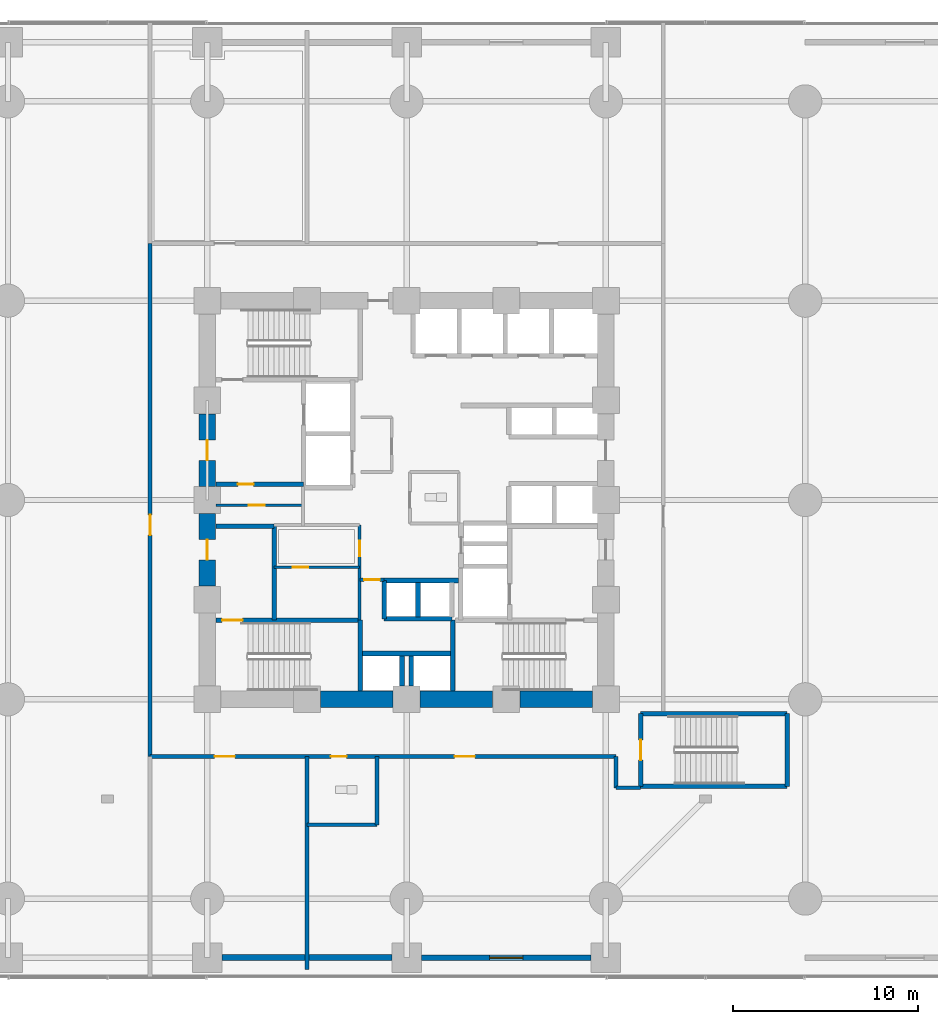
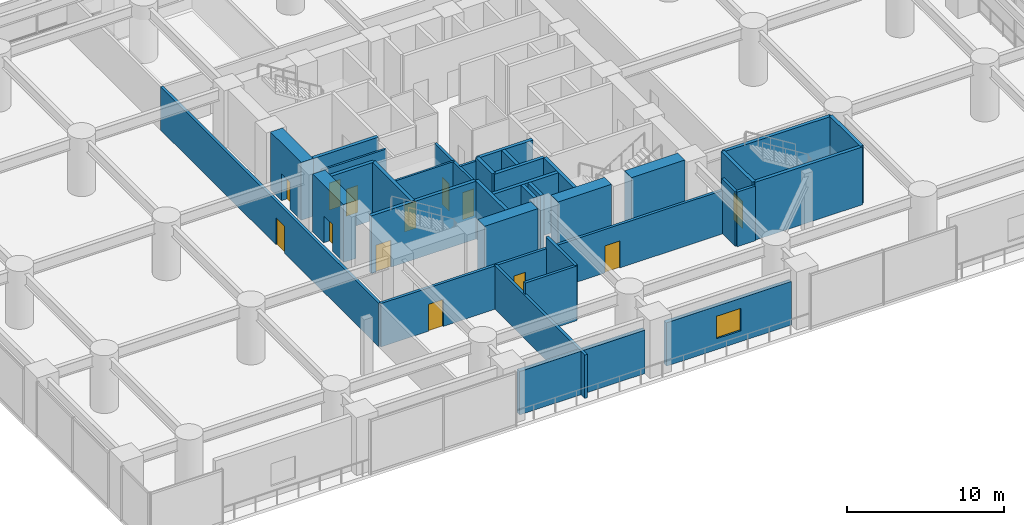
# One storey, part 27 of 36: 35 walls, 13 doors, 1 window, 14 openings.
"""IFC4 building model written with IfcOpenShell, lengths in metres."""

import ifcopenshell
import ifcopenshell.guid

model = None  # the IFC model being written
_history = None  # IfcOwnerHistory: only IFC2X3 demands one
_inside = {}  # id of a spatial element -> (the spatial element, [elements in it])
_under = {}  # id of a project, library or spatial element -> (it, [spatial elements below it])
_declared = {}  # id of a project -> (the project, [libraries it declares])
_typed = {}  # id of a type object -> (the type object, [elements of that type])
_made_of = {}  # id of a material, layer set ... -> (it, [elements and type objects made of it])


def new_model(schema):
    """Start an empty IFC model of exactly this schema.

    Asked for "IFC4X3", IfcOpenShell would pick the latest addendum, in which some entities
    have other attributes; the version numbers below select the first issue.
    IFC2X3 requires an IfcOwnerHistory on every rooted entity: one is made here for all.
    """
    global model, _history
    if schema == "IFC4X3":
        model = ifcopenshell.file(schema_version=(4, 3, 0, 0))
    else:
        model = ifcopenshell.file(schema=schema)
    _inside.clear()
    _under.clear()
    _declared.clear()
    _typed.clear()
    _made_of.clear()
    _history = None
    if model.schema == "IFC2X3":
        org = make("IfcOrganization", Name="unknown")
        user = make(
            "IfcPersonAndOrganization",
            ThePerson=make("IfcPerson", FamilyName="unknown"),
            TheOrganization=org,
        )
        app = make(
            "IfcApplication",
            ApplicationDeveloper=org,
            Version="unknown",
            ApplicationFullName="unknown",
            ApplicationIdentifier="unknown",
        )
        _history = make(
            "IfcOwnerHistory",
            OwningUser=user,
            OwningApplication=app,
            ChangeAction="ADDED",
            CreationDate=0,
        )
    return model


def make(cls, **values):
    """One entity of the class cls with the attributes given. An attribute that is None is left unset."""
    return model.create_entity(
        cls, **{name: value for name, value in values.items() if value is not None}
    )


def rooted(cls, **values):
    """An entity with a GlobalId (a new one), such as an element, a storey or a relation."""
    return make(cls, GlobalId=ifcopenshell.guid.new(), OwnerHistory=_history, **values)


def si_unit(unit_type, name, prefix=None):
    """IfcSIUnit, for example si_unit("LENGTHUNIT", "METRE", prefix="MILLI")."""
    return make("IfcSIUnit", UnitType=unit_type, Prefix=prefix, Name=name)


def assignment(units):
    """IfcUnitAssignment: the units of a project."""
    return None if units is None else make("IfcUnitAssignment", Units=units)


def point(xyz):
    """IfcCartesianPoint."""
    return None if xyz is None else make("IfcCartesianPoint", Coordinates=xyz)


def direction(xyz):
    """IfcDirection."""
    return None if xyz is None else make("IfcDirection", DirectionRatios=xyz)


def frame(location, z_axis=None, x_axis=None):
    """IfcAxis2Placement3D, a coordinate frame: its origin and axes. An axis left out is left unset."""
    return make(
        "IfcAxis2Placement3D",
        Location=point(location),
        Axis=direction(z_axis),
        RefDirection=direction(x_axis),
    )


def frame_2d(location, x_axis=None):
    """IfcAxis2Placement2D, a coordinate frame in the plane: its origin and x axis."""
    return make(
        "IfcAxis2Placement2D", Location=point(location), RefDirection=direction(x_axis)
    )


def origin():
    """The frame at (0, 0, 0) with its axes left unset."""
    return frame((0.0, 0.0, 0.0))


def place(relative_to, where):
    """IfcLocalPlacement: puts the frame where relative to a parent placement (None: the world)."""
    return make(
        "IfcLocalPlacement", PlacementRelTo=relative_to, RelativePlacement=where
    )


def context(
    kind, dimensions, precision=None, world=None, true_north=None, identifier=None
):
    """IfcGeometricRepresentationContext, for example the 3D "Model" context."""
    return make(
        "IfcGeometricRepresentationContext",
        ContextIdentifier=identifier,
        ContextType=kind,
        CoordinateSpaceDimension=dimensions,
        Precision=precision,
        WorldCoordinateSystem=world,
        TrueNorth=true_north,
    )


def subcontext(parent, identifier, kind, view, scale=None):
    """IfcGeometricRepresentationSubContext, for example "Body" below "Model"."""
    return make(
        "IfcGeometricRepresentationSubContext",
        ContextIdentifier=identifier,
        ContextType=kind,
        ParentContext=parent,
        TargetScale=scale,
        TargetView=view,
    )


def project(units=None, contexts=None):
    """IfcProject with its units and contexts."""
    return rooted(
        "IfcProject",
        Name="project",
        RepresentationContexts=contexts,
        UnitsInContext=assignment(units),
    )


def spatial(cls, under=None, at=None, **own):
    """A site, building, storey or space (cls), placed at a placement, below another one or the project."""
    s = rooted(cls, ObjectPlacement=at, **own)
    if under is not None:
        _under.setdefault(under.id(), (under, []))[1].append(s)
    return s


def profile(cls, at=None, kind="AREA", **sizes):
    """A parametric profile (cls). Its sizes go by their IFC names, for example OverallWidth=200.0."""
    return make(cls, ProfileType=kind, Position=at, **sizes)


def rectangle(**sizes):
    """IfcRectangleProfileDef."""
    return profile("IfcRectangleProfileDef", **sizes)


def extrude(swept, where, along, depth):
    """IfcExtrudedAreaSolid: the profile swept, set in the frame where, extruded along a direction by depth."""
    return make(
        "IfcExtrudedAreaSolid",
        SweptArea=swept,
        Position=where,
        ExtrudedDirection=direction(along),
        Depth=depth,
    )


def shape(context_of_items, identifier, shape_type, items):
    """IfcShapeRepresentation: the items that make up one representation, for example the "Body"."""
    return make(
        "IfcShapeRepresentation",
        ContextOfItems=context_of_items,
        RepresentationIdentifier=identifier,
        RepresentationType=shape_type,
        Items=items,
    )


def material(Name=None, Category=None):
    """IfcMaterial."""
    return make("IfcMaterial", Name=Name, Category=Category)


def layer(
    of_material, thickness, ventilated=None, Name=None, Category=None, Priority=None
):
    """IfcMaterialLayer: one layer of a wall or slab, of a material (None: an air gap)."""
    return make(
        "IfcMaterialLayer",
        Material=of_material,
        LayerThickness=thickness,
        IsVentilated=ventilated,
        Name=Name,
        Category=Category,
        Priority=Priority,
    )


def layer_set(layers, Name=None):
    """IfcMaterialLayerSet."""
    return make("IfcMaterialLayerSet", MaterialLayers=layers, LayerSetName=Name)


def made_of(thing, what):
    """Note that an element or type object is made of a material, layer set ...; save() writes the relation."""
    if what is not None:
        _made_of.setdefault(what.id(), (what, []))[1].append(thing)
    return thing


def type_object(cls, material=None, **own):
    """A type object (cls), such as IfcWallType, which elements share."""
    return made_of(rooted(cls, **own), material)


def element(
    cls,
    number,
    at=None,
    inside=None,
    cuts=None,
    type_object=None,
    material=None,
    context=None,
    identifier="Body",
    shape_type=None,
    held_by="IfcProductDefinitionShape",
    body=None,
    shapes=None,
    **own,
):
    """One element of the class cls, such as IfcWall. Its Tag is "e" and its number.

    at: its placement. inside: the storey or other place that contains it. cuts: it is an
    opening in that element (IfcRelVoidsElement). A single representation is given by context,
    identifier, shape_type and body (its items); several are given by shapes. held_by: the class
    of the entity that holds the representations. save() writes the other relations.
    """
    e = rooted(cls, Tag="e%d" % number, ObjectPlacement=at, **own)
    if body is not None:
        shapes = [shape(context, identifier, shape_type, body)]
    if shapes is not None:
        e.Representation = make(held_by, Representations=shapes)
    if inside is not None:
        _inside.setdefault(inside.id(), (inside, []))[1].append(e)
    if cuts is not None:
        rooted(
            "IfcRelVoidsElement", RelatingBuildingElement=cuts, RelatedOpeningElement=e
        )
    if type_object is not None:
        _typed.setdefault(type_object.id(), (type_object, []))[1].append(e)
    return made_of(e, material)


def fill(opening, filler):
    """IfcRelFillsElement: the door or window that sits in an opening."""
    return rooted(
        "IfcRelFillsElement",
        RelatingOpeningElement=opening,
        RelatedBuildingElement=filler,
    )


def aggregate(whole, parts):
    """IfcRelAggregates: a whole, such as a stair, and the parts it consists of."""
    return rooted("IfcRelAggregates", RelatingObject=whole, RelatedObjects=parts)


def save(model, path):
    """Write the relations noted so far, then the file.

    IfcRelAggregates (storeys below a building ...), IfcRelContainedInSpatialStructure (elements
    in a storey), IfcRelDefinesByType, IfcRelAssociatesMaterial and IfcRelDeclares: one each for
    every whole, place, type object, material and project.
    """
    for whole, parts in _under.values():
        aggregate(whole, parts)
    for where, things in _inside.values():
        rooted(
            "IfcRelContainedInSpatialStructure",
            RelatedElements=things,
            RelatingStructure=where,
        )
    for kind, things in _typed.values():
        rooted("IfcRelDefinesByType", RelatedObjects=things, RelatingType=kind)
    for what, things in _made_of.values():
        rooted("IfcRelAssociatesMaterial", RelatedObjects=things, RelatingMaterial=what)
    for by, libraries in _declared.values():
        rooted("IfcRelDeclares", RelatingContext=by, RelatedDefinitions=libraries)
    model.write(path)


model = new_model("IFC4")

# Units and contexts
model_context = context("Model", 3, precision=1e-05, world=origin(), true_north=direction((0.0, 1.0)))
body_context = subcontext(model_context, "Body", "Model", "MODEL_VIEW")
ifc_project = project(units=[si_unit("LENGTHUNIT", "METRE"), si_unit("AREAUNIT", "SQUARE_METRE"), si_unit("VOLUMEUNIT", "CUBIC_METRE"), si_unit("PLANEANGLEUNIT", "RADIAN"), si_unit("MASSUNIT", "GRAM", prefix="KILO")], contexts=[model_context])

# Site, building, storey
site_placement = place(None, origin())
site = spatial("IfcSite", under=ifc_project, at=site_placement, CompositionType="ELEMENT")
building_placement = place(site_placement, origin())
building = spatial("IfcBuilding", under=site, at=building_placement, Name="Surkhivell Harbour Commons", CompositionType="ELEMENT")
storey_placement = place(building_placement, frame((0.0, 0.0, 9.0)))
storey = spatial("IfcBuildingStorey", under=building, at=storey_placement, Name="L02", CompositionType="ELEMENT", Elevation=9.0)

# Wall
ifc_material_1 = material(Name="Concrete C80/95", Category="concrete")
ifc_layer_1 = layer(ifc_material_1, 0.89990234375)
ifc_layer_set_1 = layer_set([ifc_layer_1], Name="Concrete C80/95")
wall_type_1 = type_object("IfcWallType", Name="WAL-CORE-900", PredefinedType="SHEAR", material=ifc_layer_set_1)
wall_1_placement = place(storey_placement, frame((-4.6650390625, -10.800048828125, 0.0), z_axis=(0.0, 0.0, 1.0), x_axis=(1.0, 0.0, 0.0)))
element("IfcWall", 1, at=wall_1_placement, inside=storey, type_object=wall_type_1, Name="L02 Core Shear Wall South 2", PredefinedType="SHEAR", context=body_context, shape_type="SweptSolid", body=[
    extrude(rectangle(XDim=3.929931640625, YDim=0.89990234375, at=frame_2d((1.96484375, 0.0))), origin(), (0.0, 0.0, 1.0), 4.5),
])

# Wall, opening, door
wall_2_placement = place(storey_placement, frame((-10.800048828125, -4.6650390625, 0.0), z_axis=(0.0, 0.0, 1.0), x_axis=(0.0, 1.0, 0.0)))
wall_2 = element("IfcWall", 2, at=wall_2_placement, inside=storey, type_object=wall_type_1, Name="L02 Core Shear Wall West 2", PredefinedType="SHEAR", context=body_context, shape_type="SweptSolid", body=[
    extrude(rectangle(XDim=3.929931640625, YDim=0.89990234375, at=frame_2d((1.96484375, 0.0))), origin(), (0.0, 0.0, 1.0), 4.5),
])
opening_1_placement = place(wall_2_placement, frame((1.4150390625, 0.0, 0.0)))
opening_1 = element("IfcOpeningElement", 3, at=opening_1_placement, cuts=wall_2, Name="Opening ID-2", PredefinedType="OPENING", context=body_context, shape_type="SweptSolid", body=[
    extrude(rectangle(XDim=1.10009765625, YDim=2.10009765625, at=frame_2d((0.550048828125, 1.050048828125))), frame((0.0, 0.4599609375, 0.0), z_axis=(0.0, -1.0, 0.0), x_axis=(1.0, 0.0, 0.0)), (0.0, 0.0, 1.0), 0.919921875),
])
ifc_material_2 = material(Name="Hardwood-veneered fire-rated door leaf", Category="wood")
door_type_1 = type_object("IfcDoorType", Name="DOR-FD60-1100", OperationType="NOTDEFINED", PredefinedType="DOOR", material=ifc_material_2)
door_1_placement = place(opening_1_placement, origin())
door_1 = element("IfcDoor", 4, at=door_1_placement, inside=storey, type_object=door_type_1, Name="L02 Stair 3 Lobby Corridor Door", OperationType="SINGLE_SWING_LEFT", OverallHeight=2.10009765625, OverallWidth=1.10009765625, PredefinedType="DOOR", context=body_context, shape_type="SweptSolid", body=[
    extrude(rectangle(XDim=1.10009765625, YDim=2.10009765625, at=frame_2d((0.550048828125, 1.050048828125))), frame((0.0, 0.02490234375, 0.0), z_axis=(0.0, -1.0, 0.0), x_axis=(1.0, 0.0, 0.0)), (0.0, 0.0, 1.0), 0.050048828125),
])
fill(opening_1, door_1)

# Wall
wall_3_placement = place(storey_placement, frame((0.735107421875, -10.800048828125, 0.0), z_axis=(0.0, 0.0, 1.0), x_axis=(1.0, 0.0, 0.0)))
element("IfcWall", 5, at=wall_3_placement, inside=storey, type_object=wall_type_1, Name="L02 Core Shear Wall South 3", PredefinedType="SHEAR", context=body_context, shape_type="SweptSolid", body=[
    extrude(rectangle(XDim=3.929931640625, YDim=0.89990234375, at=frame_2d((1.96484375, 0.0))), origin(), (0.0, 0.0, 1.0), 4.5),
])

# Wall, opening, door
wall_4_placement = place(storey_placement, frame((-10.800048828125, 0.735107421875, 0.0), z_axis=(0.0, 0.0, 1.0), x_axis=(0.0, 1.0, 0.0)))
wall_4 = element("IfcWall", 6, at=wall_4_placement, inside=storey, type_object=wall_type_1, Name="L02 Core Shear Wall West 3", PredefinedType="SHEAR", context=body_context, shape_type="SweptSolid", body=[
    extrude(rectangle(XDim=3.929931640625, YDim=0.89990234375, at=frame_2d((1.96484375, 0.0))), origin(), (0.0, 0.0, 1.0), 4.5),
])
opening_2_placement = place(wall_4_placement, frame((1.4150390625, 0.0, 0.0)))
opening_2 = element("IfcOpeningElement", 7, at=opening_2_placement, cuts=wall_4, Name="Opening ID-1", PredefinedType="OPENING", context=body_context, shape_type="SweptSolid", body=[
    extrude(rectangle(XDim=1.10009765625, YDim=2.10009765625, at=frame_2d((0.550048828125, 1.050048828125))), frame((0.0, 0.4599609375, 0.0), z_axis=(0.0, -1.0, 0.0), x_axis=(1.0, 0.0, 0.0)), (0.0, 0.0, 1.0), 0.919921875),
])
door_type_2 = type_object("IfcDoorType", Name="DOR-FD120-1100", OperationType="NOTDEFINED", PredefinedType="DOOR", material=ifc_material_2)
door_2_placement = place(opening_2_placement, origin())
door_2 = element("IfcDoor", 8, at=door_2_placement, inside=storey, type_object=door_type_2, Name="L02 Firefighting Lobby 1 Corridor Door", OperationType="SINGLE_SWING_LEFT", OverallHeight=2.10009765625, OverallWidth=1.10009765625, PredefinedType="DOOR", context=body_context, shape_type="SweptSolid", body=[
    extrude(rectangle(XDim=1.10009765625, YDim=2.10009765625, at=frame_2d((0.550048828125, 1.050048828125))), frame((0.0, 0.02490234375, 0.0), z_axis=(0.0, -1.0, 0.0), x_axis=(1.0, 0.0, 0.0)), (0.0, 0.0, 1.0), 0.050048828125),
])
fill(opening_2, door_2)

# Wall
wall_5_placement = place(storey_placement, frame((6.135009765625, -10.800048828125, 0.0), z_axis=(0.0, 0.0, 1.0), x_axis=(1.0, 0.0, 0.0)))
element("IfcWall", 9, at=wall_5_placement, inside=storey, type_object=wall_type_1, Name="L02 Core Shear Wall South 4", PredefinedType="SHEAR", context=body_context, shape_type="SweptSolid", body=[
    extrude(rectangle(XDim=3.929931640625, YDim=0.89990234375, at=frame_2d((1.96484375, 0.0))), origin(), (0.0, 0.0, 1.0), 4.5),
])

# Wall, opening, window
ifc_material_3 = material(Name="Flemish-bond kiln brick and precast concrete C45/55", Category="masonry")
ifc_layer_2 = layer(ifc_material_3, 0.300048828125)
ifc_layer_set_2 = layer_set([ifc_layer_2], Name="Flemish-bond kiln brick and precast concrete C45/55")
wall_type_2 = type_object("IfcWallType", Name="WAL-EXT-BRK300", PredefinedType="STANDARD", material=ifc_layer_set_2)
wall_6_placement = place(storey_placement, frame((10.001953125, -24.800048828125, 0.0), z_axis=(0.0, 0.0, 1.0), x_axis=(-1.0, 0.0, 0.0)))
wall_6 = element("IfcWall", 10, at=wall_6_placement, inside=storey, type_object=wall_type_2, Name="L02 Podium Brick Facade Wall S5", PredefinedType="STANDARD", context=body_context, shape_type="SweptSolid", body=[
    extrude(rectangle(XDim=9.203857421875, YDim=0.300048828125, at=frame_2d((4.60205078125, 0.0))), origin(), (0.0, 0.0, 1.0), 3.37890625),
])
opening_3_placement = place(wall_6_placement, frame((3.701904296875, 0.0, 0.85009765625)))
opening_3 = element("IfcOpeningElement", 11, at=opening_3_placement, cuts=wall_6, Name="Opening WN-03", PredefinedType="OPENING", context=body_context, shape_type="SweptSolid", body=[
    extrude(rectangle(XDim=1.800048828125, YDim=1.75, at=frame_2d((0.89990234375, 0.875))), frame((0.0, 0.159912109375, 0.0), z_axis=(0.0, -1.0, 0.0), x_axis=(1.0, 0.0, 0.0)), (0.0, 0.0, 1.0), 0.320068359375),
])
ifc_material_4 = material(Name="Thermal-break aluminium frame and double low-E glazing", Category="aluminium")
window_type = type_object("IfcWindowType", Name="WIN-POD-1800x1750", PartitioningType="DOUBLE_PANEL_VERTICAL", PredefinedType="WINDOW", material=ifc_material_4)
window_placement = place(opening_3_placement, origin())
window = element("IfcWindow", 12, at=window_placement, inside=storey, type_object=window_type, Name="L02 Podium Punched Window S5", OverallHeight=1.75, OverallWidth=1.800048828125, PartitioningType="SINGLE_PANEL", PredefinedType="WINDOW", context=body_context, shape_type="SweptSolid", body=[
    extrude(rectangle(XDim=1.800048828125, YDim=1.75, at=frame_2d((0.89990234375, 0.875))), frame((0.0, 0.030029296875, 0.0), z_axis=(0.0, -1.0, 0.0), x_axis=(1.0, 0.0, 0.0)), (0.0, 0.0, 1.0), 0.06005859375),
])
fill(opening_3, window)

# Wall
ifc_material_5 = material(Name="Kiln-fired surkhi brick and precast concrete C45/55", Category="masonry")
ifc_layer_3 = layer(ifc_material_5, 0.320068359375)
ifc_layer_set_3 = layer_set([ifc_layer_3], Name="Kiln-fired surkhi brick and precast concrete C45/55")
wall_type_3 = type_object("IfcWallType", Name="WAL-EXT-BRK320", PredefinedType="STANDARD", material=ifc_layer_set_3)
wall_7_placement = place(storey_placement, frame((-0.798095703125, -24.800048828125, 0.0), z_axis=(0.0, 0.0, 1.0), x_axis=(-1.0, 0.0, 0.0)))
element("IfcWall", 13, at=wall_7_placement, inside=storey, type_object=wall_type_3, Name="L02 Podium Brick Facade Wall S4", PredefinedType="STANDARD", context=body_context, shape_type="SweptSolid", body=[
    extrude(rectangle(XDim=9.203857421875, YDim=0.320068359375, at=frame_2d((4.60205078125, 0.0))), origin(), (0.0, 0.0, 1.0), 3.37890625),
])

# Wall, opening, door
ifc_material_6 = material(Name="Twin-stud acoustic fireboard partition", Category="other")
ifc_layer_4 = layer(ifc_material_6, 0.14990234375)
ifc_layer_set_4 = layer_set([ifc_layer_4], Name="Twin-stud acoustic fireboard partition")
wall_type_4 = type_object("IfcWallType", Name="WAL-INT-150", PredefinedType="PARTITIONING", material=ifc_layer_set_4)
wall_8_placement = place(storey_placement, frame((-7.179931640625, -3.64990234375, 0.0), z_axis=(0.0, 0.0, 1.0), x_axis=(1.0, 0.0, 0.0)))
wall_8 = element("IfcWall", 14, at=wall_8_placement, inside=storey, type_object=wall_type_4, Name="L02 Core Cut C1 Partition", PredefinedType="PARTITIONING", context=body_context, shape_type="SweptSolid", body=[
    extrude(rectangle(XDim=4.6298828125, YDim=0.14990234375, at=frame_2d((2.31494140625, 0.0))), origin(), (0.0, 0.0, 1.0), 4.25),
])
opening_4_placement = place(wall_8_placement, frame((1.0, 0.0, 0.0)))
opening_4 = element("IfcOpeningElement", 15, at=opening_4_placement, cuts=wall_8, Name="Opening ID-6", PredefinedType="OPENING", context=body_context, shape_type="SweptSolid", body=[
    extrude(rectangle(XDim=0.85009765625, YDim=2.10009765625, at=frame_2d((0.425048828125, 1.050048828125))), frame((0.0, 0.0849609375, 0.0), z_axis=(0.0, -1.0, 0.0), x_axis=(1.0, 0.0, 0.0)), (0.0, 0.0, 1.0), 0.169921875),
])
door_type_3 = type_object("IfcDoorType", Name="DOR-FD30-850", OperationType="NOTDEFINED", PredefinedType="DOOR", material=ifc_material_2)
door_3_placement = place(opening_4_placement, origin())
door_3 = element("IfcDoor", 16, at=door_3_placement, inside=storey, type_object=door_type_3, Name="L02 Cleaner Room Door", OperationType="SINGLE_SWING_LEFT", OverallHeight=2.10009765625, OverallWidth=0.85009765625, PredefinedType="DOOR", context=body_context, shape_type="SweptSolid", body=[
    extrude(rectangle(XDim=0.85009765625, YDim=2.10009765625, at=frame_2d((0.425048828125, 1.050048828125))), frame((0.0, 0.02490234375, 0.0), z_axis=(0.0, -1.0, 0.0), x_axis=(1.0, 0.0, 0.0)), (0.0, 0.0, 1.0), 0.050048828125),
])
fill(opening_4, door_3)

wall_9_placement = place(storey_placement, frame((-10.340087890625, -0.2900390625, 0.0), z_axis=(0.0, 0.0, 1.0), x_axis=(1.0, 0.0, 0.0)))
wall_9 = element("IfcWall", 17, at=wall_9_placement, inside=storey, type_object=wall_type_4, Name="L02 West Core Horizontal Cut", PredefinedType="PARTITIONING", context=body_context, shape_type="SweptSolid", body=[
    extrude(rectangle(XDim=4.719970703125, YDim=0.14990234375, at=frame_2d((2.35986328125, 0.0))), origin(), (0.0, 0.0, 1.0), 4.25),
])
opening_5_placement = place(wall_9_placement, frame((1.800048828125, 0.0, 0.0)))
opening_5 = element("IfcOpeningElement", 18, at=opening_5_placement, cuts=wall_9, Name="Opening ID-6", PredefinedType="OPENING", context=body_context, shape_type="SweptSolid", body=[
    extrude(rectangle(XDim=0.85009765625, YDim=2.10009765625, at=frame_2d((0.425048828125, 1.050048828125))), frame((0.0, 0.0849609375, 0.0), z_axis=(0.0, -1.0, 0.0), x_axis=(1.0, 0.0, 0.0)), (0.0, 0.0, 1.0), 0.169921875),
])
door_4_placement = place(opening_5_placement, origin())
door_4 = element("IfcDoor", 19, at=door_4_placement, inside=storey, type_object=door_type_3, Name="L02 West Music Pod Door", OperationType="SINGLE_SWING_RIGHT", OverallHeight=2.10009765625, OverallWidth=0.85009765625, PredefinedType="DOOR", context=body_context, shape_type="SweptSolid", body=[
    extrude(rectangle(XDim=0.85009765625, YDim=2.10009765625, at=frame_2d((0.425048828125, 1.050048828125))), frame((0.0, 0.02490234375, 0.0), z_axis=(0.0, -1.0, 0.0), x_axis=(1.0, 0.0, 0.0)), (0.0, 0.0, 1.0), 0.050048828125),
])
fill(opening_5, door_4)

ifc_material_7 = material(Name="High-density acoustic blockwork fire partition", Category="masonry")
ifc_layer_5 = layer(ifc_material_7, 0.175048828125)
ifc_layer_set_5 = layer_set([ifc_layer_5], Name="High-density acoustic blockwork fire partition")
wall_type_5 = type_object("IfcWallType", Name="WAL-INT-175", PredefinedType="PARTITIONING", material=ifc_layer_set_5)
wall_10_placement = place(storey_placement, frame((-2.550048828125, -6.510009765625, 0.0), z_axis=(0.0, 0.0, 1.0), x_axis=(0.0, 1.0, 0.0)))
wall_10 = element("IfcWall", 20, at=wall_10_placement, inside=storey, type_object=wall_type_5, Name="L02 Core Service Bay East Wall", PredefinedType="PARTITIONING", context=body_context, shape_type="SweptSolid", body=[
    extrude(rectangle(XDim=5.159912109375, YDim=0.175048828125, at=frame_2d((2.580078125, 0.0))), origin(), (0.0, 0.0, 1.0), 4.25),
])
opening_6_placement = place(wall_10_placement, frame((3.449951171875, 0.0, 0.0)))
opening_6 = element("IfcOpeningElement", 21, at=opening_6_placement, cuts=wall_10, Name="Opening ID-6", PredefinedType="OPENING", context=body_context, shape_type="SweptSolid", body=[
    extrude(rectangle(XDim=0.85009765625, YDim=2.10009765625, at=frame_2d((0.425048828125, 1.050048828125))), frame((0.0, 0.097412109375, 0.0), z_axis=(0.0, -1.0, 0.0), x_axis=(1.0, 0.0, 0.0)), (0.0, 0.0, 1.0), 0.195068359375),
])
door_5_placement = place(opening_6_placement, origin())
door_5 = element("IfcDoor", 22, at=door_5_placement, inside=storey, type_object=door_type_3, Name="L02 Core Seminar Door", OperationType="SINGLE_SWING_LEFT", OverallHeight=2.10009765625, OverallWidth=0.85009765625, PredefinedType="DOOR", context=body_context, shape_type="SweptSolid", body=[
    extrude(rectangle(XDim=0.85009765625, YDim=2.10009765625, at=frame_2d((0.425048828125, 1.050048828125))), frame((0.0, 0.02490234375, 0.0), z_axis=(0.0, -1.0, 0.0), x_axis=(1.0, 0.0, 0.0)), (0.0, 0.0, 1.0), 0.050048828125),
])
fill(opening_6, door_5)

wall_11_placement = place(storey_placement, frame((-2.52001953125, -4.320068359375, 0.0), z_axis=(0.0, 0.0, 1.0), x_axis=(1.0, 0.0, 0.0)))
wall_11 = element("IfcWall", 23, at=wall_11_placement, inside=storey, type_object=wall_type_5, Name="L02 High-Rise Lobby North Portal Wall", PredefinedType="PARTITIONING", context=body_context, shape_type="SweptSolid", body=[
    extrude(rectangle(XDim=1.300048828125, YDim=0.175048828125, at=frame_2d((0.64990234375, 0.0))), origin(), (0.0, 0.0, 1.0), 4.25),
])
opening_7_placement = place(wall_11_placement, frame((0.219970703125, 0.0, 0.0)))
opening_7 = element("IfcOpeningElement", 24, at=opening_7_placement, cuts=wall_11, Name="Opening ID-6", PredefinedType="OPENING", context=body_context, shape_type="SweptSolid", body=[
    extrude(rectangle(XDim=0.85009765625, YDim=2.10009765625, at=frame_2d((0.425048828125, 1.050048828125))), frame((0.0, 0.097412109375, 0.0), z_axis=(0.0, -1.0, 0.0), x_axis=(1.0, 0.0, 0.0)), (0.0, 0.0, 1.0), 0.195068359375),
])
door_6_placement = place(opening_7_placement, origin())
door_6 = element("IfcDoor", 25, at=door_6_placement, inside=storey, type_object=door_type_3, Name="L02 High-Rise Lift Lobby North Door", OperationType="SINGLE_SWING_LEFT", OverallHeight=2.10009765625, OverallWidth=0.85009765625, PredefinedType="DOOR", context=body_context, shape_type="SweptSolid", body=[
    extrude(rectangle(XDim=0.85009765625, YDim=2.10009765625, at=frame_2d((0.425048828125, 1.050048828125))), frame((0.0, 0.02490234375, 0.0), z_axis=(0.0, -1.0, 0.0), x_axis=(1.0, 0.0, 0.0)), (0.0, 0.0, 1.0), 0.050048828125),
])
fill(opening_7, door_6)

# Walls
ifc_material_8 = material(Name="Autoclaved aerated concrete blockwork and fire plaster", Category="masonry")
ifc_layer_6 = layer(ifc_material_8, 0.199951171875)
ifc_layer_set_6 = layer_set([ifc_layer_6], Name="Autoclaved aerated concrete blockwork and fire plaster")
wall_type_6 = type_object("IfcWallType", Name="WAL-INT-200", PredefinedType="PARTITIONING", material=ifc_layer_set_6)
wall_12_placement = place(storey_placement, frame((-5.39990234375, -25.449951171875, 0.0), z_axis=(0.0, 0.0, 1.0), x_axis=(0.0, 1.0, 0.0)))
element("IfcWall", 26, at=wall_12_placement, inside=storey, type_object=wall_type_6, Name="L02 Podium South WC West Wall", PredefinedType="PARTITIONING", context=body_context, shape_type="SweptSolid", body=[
    extrude(rectangle(XDim=11.550048828125, YDim=0.199951171875, at=frame_2d((5.77490234375, 0.0))), origin(), (0.0, 0.0, 1.0), 3.37890625),
])
wall_13_placement = place(storey_placement, frame((-1.60009765625, -17.60009765625, 0.0), z_axis=(0.0, 0.0, 1.0), x_axis=(0.0, 1.0, 0.0)))
element("IfcWall", 27, at=wall_13_placement, inside=storey, type_object=wall_type_6, Name="L02 Podium South WC East Wall", PredefinedType="PARTITIONING", context=body_context, shape_type="SweptSolid", body=[
    extrude(rectangle(XDim=3.7001953125, YDim=0.199951171875, at=frame_2d((1.85009765625, 0.0))), origin(), (0.0, 0.0, 1.0), 4.25),
])
wall_14_placement = place(storey_placement, frame((-5.39990234375, -17.60009765625, 0.0), z_axis=(0.0, 0.0, 1.0), x_axis=(1.0, 0.0, 0.0)))
element("IfcWall", 28, at=wall_14_placement, inside=storey, type_object=wall_type_6, Name="L02 Podium South WC Back Wall", PredefinedType="PARTITIONING", context=body_context, shape_type="SweptSolid", body=[
    extrude(rectangle(XDim=3.7998046875, YDim=0.199951171875, at=frame_2d((1.89990234375, 0.0))), origin(), (0.0, 0.0, 1.0), 4.25),
])

# Wall, openings, doors
wall_15_placement = place(storey_placement, frame((-13.89990234375, -13.89990234375, 0.0), z_axis=(0.0, 0.0, 1.0), x_axis=(1.0, 0.0, 0.0)))
wall_15 = element("IfcWall", 29, at=wall_15_placement, inside=storey, type_object=wall_type_6, Name="L02 Corridor South Wall", PredefinedType="PARTITIONING", context=body_context, shape_type="SweptSolid", body=[
    extrude(rectangle(XDim=25.25, YDim=0.199951171875, at=frame_2d((12.625, 0.0))), origin(), (0.0, 0.0, 1.0), 3.37890625),
])
opening_8_placement = place(wall_15_placement, frame((3.5, 0.0, 0.0)))
opening_8 = element("IfcOpeningElement", 30, at=opening_8_placement, cuts=wall_15, Name="Opening ID-2", PredefinedType="OPENING", context=body_context, shape_type="SweptSolid", body=[
    extrude(rectangle(XDim=1.10009765625, YDim=2.10009765625, at=frame_2d((0.550048828125, 1.050048828125))), frame((0.0, 0.10986328125, 0.0), z_axis=(0.0, -1.0, 0.0), x_axis=(1.0, 0.0, 0.0)), (0.0, 0.0, 1.0), 0.219970703125),
])
opening_9_placement = place(wall_15_placement, frame((9.800048828125, 0.0, 0.0)))
opening_9 = element("IfcOpeningElement", 31, at=opening_9_placement, cuts=wall_15, Name="Opening ID-6", PredefinedType="OPENING", context=body_context, shape_type="SweptSolid", body=[
    extrude(rectangle(XDim=0.85009765625, YDim=2.10009765625, at=frame_2d((0.425048828125, 1.050048828125))), frame((0.0, 0.10986328125, 0.0), z_axis=(0.0, -1.0, 0.0), x_axis=(1.0, 0.0, 0.0)), (0.0, 0.0, 1.0), 0.219970703125),
])
opening_10_placement = place(wall_15_placement, frame((16.5, 0.0, 0.0)))
opening_10 = element("IfcOpeningElement", 32, at=opening_10_placement, cuts=wall_15, Name="Opening ID-2", PredefinedType="OPENING", context=body_context, shape_type="SweptSolid", body=[
    extrude(rectangle(XDim=1.10009765625, YDim=2.10009765625, at=frame_2d((0.550048828125, 1.050048828125))), frame((0.0, 0.10986328125, 0.0), z_axis=(0.0, -1.0, 0.0), x_axis=(1.0, 0.0, 0.0)), (0.0, 0.0, 1.0), 0.219970703125),
])
door_7_placement = place(opening_9_placement, origin())
door_7 = element("IfcDoor", 33, at=door_7_placement, inside=storey, type_object=door_type_3, Name="L02 Podium Accessible WC Door", OperationType="SINGLE_SWING_LEFT", OverallHeight=2.10009765625, OverallWidth=0.85009765625, PredefinedType="DOOR", context=body_context, shape_type="SweptSolid", body=[
    extrude(rectangle(XDim=0.85009765625, YDim=2.10009765625, at=frame_2d((0.425048828125, 1.050048828125))), frame((0.0, 0.02490234375, 0.0), z_axis=(0.0, -1.0, 0.0), x_axis=(1.0, 0.0, 0.0)), (0.0, 0.0, 1.0), 0.050048828125),
])
fill(opening_9, door_7)
door_8_placement = place(opening_8_placement, origin())
door_8 = element("IfcDoor", 34, at=door_8_placement, inside=storey, type_object=door_type_1, Name="L02 Harbour Terrace Cafe Door", OperationType="SINGLE_SWING_RIGHT", OverallHeight=2.10009765625, OverallWidth=1.10009765625, PredefinedType="DOOR", context=body_context, shape_type="SweptSolid", body=[
    extrude(rectangle(XDim=1.10009765625, YDim=2.10009765625, at=frame_2d((0.550048828125, 1.050048828125))), frame((0.0, 0.02490234375, 0.0), z_axis=(0.0, -1.0, 0.0), x_axis=(1.0, 0.0, 0.0)), (0.0, 0.0, 1.0), 0.050048828125),
])
fill(opening_8, door_8)
door_9_placement = place(opening_10_placement, origin())
door_9 = element("IfcDoor", 35, at=door_9_placement, inside=storey, type_object=door_type_1, Name="L02 L02 Harbour Reading Hall Door", OperationType="SINGLE_SWING_RIGHT", OverallHeight=2.10009765625, OverallWidth=1.10009765625, PredefinedType="DOOR", context=body_context, shape_type="SweptSolid", body=[
    extrude(rectangle(XDim=1.10009765625, YDim=2.10009765625, at=frame_2d((0.550048828125, 1.050048828125))), frame((0.0, 0.02490234375, 0.0), z_axis=(0.0, -1.0, 0.0), x_axis=(1.0, 0.0, 0.0)), (0.0, 0.0, 1.0), 0.050048828125),
])
fill(opening_10, door_9)

# Wall, opening, door
wall_16_placement = place(storey_placement, frame((-13.89990234375, -13.89990234375, 0.0), z_axis=(0.0, 0.0, 1.0), x_axis=(0.0, 1.0, 0.0)))
wall_16 = element("IfcWall", 36, at=wall_16_placement, inside=storey, type_object=wall_type_6, Name="L02 Corridor West Wall", PredefinedType="PARTITIONING", context=body_context, shape_type="SweptSolid", body=[
    extrude(rectangle(XDim=27.7998046875, YDim=0.199951171875, at=frame_2d((13.89990234375, 0.0))), origin(), (0.0, 0.0, 1.0), 3.37890625),
])
opening_11_placement = place(wall_16_placement, frame((12.0, 0.0, 0.0)))
opening_11 = element("IfcOpeningElement", 37, at=opening_11_placement, cuts=wall_16, Name="Opening ID-2", PredefinedType="OPENING", context=body_context, shape_type="SweptSolid", body=[
    extrude(rectangle(XDim=1.10009765625, YDim=2.10009765625, at=frame_2d((0.550048828125, 1.050048828125))), frame((0.0, 0.10986328125, 0.0), z_axis=(0.0, -1.0, 0.0), x_axis=(1.0, 0.0, 0.0)), (0.0, 0.0, 1.0), 0.219970703125),
])
door_10_placement = place(opening_11_placement, origin())
door_10 = element("IfcDoor", 38, at=door_10_placement, inside=storey, type_object=door_type_1, Name="L02 L02 West Commons Hall Door", OperationType="SINGLE_SWING_LEFT", OverallHeight=2.10009765625, OverallWidth=1.10009765625, PredefinedType="DOOR", context=body_context, shape_type="SweptSolid", body=[
    extrude(rectangle(XDim=1.10009765625, YDim=2.10009765625, at=frame_2d((0.550048828125, 1.050048828125))), frame((0.0, 0.02490234375, 0.0), z_axis=(0.0, -1.0, 0.0), x_axis=(1.0, 0.0, 0.0)), (0.0, 0.0, 1.0), 0.050048828125),
])
fill(opening_11, door_10)

# Walls
wall_17_placement = place(storey_placement, frame((11.35009765625, -15.60009765625, 0.0), z_axis=(0.0, 0.0, 1.0), x_axis=(1.0, 0.0, 0.0)))
element("IfcWall", 39, at=wall_17_placement, inside=storey, type_object=wall_type_6, Name="L02 Stair ST4 Corridor South Wall", PredefinedType="PARTITIONING", context=body_context, shape_type="SweptSolid", body=[
    extrude(rectangle(XDim=1.329833984375, YDim=0.199951171875, at=frame_2d((0.6650390625, 0.0))), origin(), (0.0, 0.0, 1.0), 4.25),
])
wall_18_placement = place(storey_placement, frame((11.35009765625, -15.60009765625, 0.0), z_axis=(0.0, 0.0, 1.0), x_axis=(0.0, 1.0, 0.0)))
element("IfcWall", 40, at=wall_18_placement, inside=storey, type_object=wall_type_6, Name="L02 Stair ST4 Corridor West Wall", PredefinedType="PARTITIONING", context=body_context, shape_type="SweptSolid", body=[
    extrude(rectangle(XDim=1.7001953125, YDim=0.199951171875, at=frame_2d((0.85009765625, 0.0))), origin(), (0.0, 0.0, 1.0), 4.25),
])

# Wall, opening, door
ifc_material_9 = material(Name="Concrete C50/60", Category="concrete")
ifc_layer_7 = layer(ifc_material_9, 0.25)
ifc_layer_set_7 = layer_set([ifc_layer_7], Name="Concrete C50/60")
wall_type_7 = type_object("IfcWallType", Name="WAL-SHAFT-250", PredefinedType="SHEAR", material=ifc_layer_set_7)
wall_19_placement = place(storey_placement, frame((-10.340087890625, 0.85009765625, 0.0), z_axis=(0.0, 0.0, 1.0), x_axis=(1.0, 0.0, 0.0)))
wall_19 = element("IfcWall", 41, at=wall_19_placement, inside=storey, type_object=wall_type_7, Name="L02 Firefighting Lobby 1 South Wall", PredefinedType="SHEAR", context=body_context, shape_type="SweptSolid", body=[
    extrude(rectangle(XDim=4.760009765625, YDim=0.25, at=frame_2d((2.3798828125, 0.0))), origin(), (0.0, 0.0, 1.0), 4.5),
])
opening_12_placement = place(wall_19_placement, frame((1.199951171875, 0.0, 0.0)))
opening_12 = element("IfcOpeningElement", 42, at=opening_12_placement, cuts=wall_19, Name="Opening ID-6", PredefinedType="OPENING", context=body_context, shape_type="SweptSolid", body=[
    extrude(rectangle(XDim=0.85009765625, YDim=2.10009765625, at=frame_2d((0.425048828125, 1.050048828125))), frame((0.0, 0.135009765625, 0.0), z_axis=(0.0, -1.0, 0.0), x_axis=(1.0, 0.0, 0.0)), (0.0, 0.0, 1.0), 0.27001953125),
])
door_11_placement = place(opening_12_placement, origin())
door_11 = element("IfcDoor", 43, at=door_11_placement, inside=storey, type_object=door_type_3, Name="L02 West Reading Alcove Door", OperationType="SINGLE_SWING_LEFT", OverallHeight=2.10009765625, OverallWidth=0.85009765625, PredefinedType="DOOR", context=body_context, shape_type="SweptSolid", body=[
    extrude(rectangle(XDim=0.85009765625, YDim=2.10009765625, at=frame_2d((0.425048828125, 1.050048828125))), frame((0.0, 0.02490234375, 0.0), z_axis=(0.0, -1.0, 0.0), x_axis=(1.0, 0.0, 0.0)), (0.0, 0.0, 1.0), 0.050048828125),
])
fill(opening_12, door_11)

# Walls
wall_20_placement = place(storey_placement, frame((0.6201171875, -6.340087890625, 0.0), z_axis=(0.0, 0.0, 1.0), x_axis=(0.0, 1.0, 0.0)))
element("IfcWall", 44, at=wall_20_placement, inside=storey, type_object=wall_type_7, Name="L02 High-Rise Side Wall N", PredefinedType="SHEAR", context=body_context, shape_type="SweptSolid", body=[
    extrude(rectangle(XDim=1.880126953125, YDim=0.25, at=frame_2d((0.93994140625, 0.0))), origin(), (0.0, 0.0, 1.0), 4.5),
])
for number, where, z_axis, x_axis, name in (
    (45, (-0.25, -10.074951171875, 0.0), (0.0, 0.0, 1.0), (0.0, 1.0, 0.0), "L02 High-Rise Side Wall S"),
    (46, (0.25, -10.074951171875, 0.0), (0.0, 0.0, 1.0), (0.0, 1.0, 0.0), "L02 High-Rise Side Wall S"),
):
    element("IfcWall", number, at=place(storey_placement, frame(where, z_axis=z_axis, x_axis=x_axis)), inside=storey, type_object=wall_type_7, Name=name, PredefinedType="SHEAR", context=body_context, shape_type="SweptSolid", body=[
        extrude(rectangle(XDim=1.635009765625, YDim=0.25, at=frame_2d((0.8173828125, 0.0))), origin(), (0.0, 0.0, 1.0), 4.5),
    ])
wall_21_placement = place(storey_placement, frame((-1.219970703125, -6.43994140625, 0.0), z_axis=(0.0, 0.0, 1.0), x_axis=(0.0, 1.0, 0.0)))
element("IfcWall", 47, at=wall_21_placement, inside=storey, type_object=wall_type_7, Name="L02 High-Rise Passage East Shaft Wall", PredefinedType="SHEAR", context=body_context, shape_type="SweptSolid", body=[
    extrude(rectangle(XDim=2.079833984375, YDim=0.25, at=frame_2d((1.0400390625, 0.0))), origin(), (0.0, 0.0, 1.0), 4.5),
])
wall_22_placement = place(storey_placement, frame((-1.219970703125, -6.43994140625, 0.0), z_axis=(0.0, 0.0, 1.0), x_axis=(1.0, 0.0, 0.0)))
element("IfcWall", 48, at=wall_22_placement, inside=storey, type_object=wall_type_7, Name="L02 High-Rise North Front Shaft Wall", PredefinedType="SHEAR", context=body_context, shape_type="SweptSolid", body=[
    extrude(rectangle(XDim=3.669921875, YDim=0.25, at=frame_2d((1.8349609375, 0.0))), origin(), (0.0, 0.0, 1.0), 4.5),
])
wall_23_placement = place(storey_placement, frame((-2.47998046875, -8.320068359375, 0.0), z_axis=(0.0, 0.0, 1.0), x_axis=(1.0, 0.0, 0.0)))
element("IfcWall", 49, at=wall_23_placement, inside=storey, type_object=wall_type_7, Name="L02 High-Rise South Front Shaft Wall", PredefinedType="SHEAR", context=body_context, shape_type="SweptSolid", body=[
    extrude(rectangle(XDim=4.929931640625, YDim=0.25, at=frame_2d((2.46484375, 0.0))), origin(), (0.0, 0.0, 1.0), 4.5),
])
wall_24_placement = place(storey_placement, frame((-1.219970703125, -4.360107421875, 0.0), z_axis=(0.0, 0.0, 1.0), x_axis=(1.0, 0.0, 0.0)))
element("IfcWall", 50, at=wall_24_placement, inside=storey, type_object=wall_type_7, Name="L02 High-Rise North Back Shaft Wall", PredefinedType="SHEAR", context=body_context, shape_type="SweptSolid", body=[
    extrude(rectangle(XDim=4.030029296875, YDim=0.25, at=frame_2d((2.01513671875, 0.0))), origin(), (0.0, 0.0, 1.0), 4.5),
])
for number, where, z_axis, x_axis, name in (
    (51, (2.510009765625, -10.35009765625, 0.0), (0.0, 0.0, 1.0), (0.0, 1.0, 0.0), "L02 Stair ST2 West Shear Wall"),
    (52, (-2.510009765625, -10.35009765625, 0.0), (0.0, 0.0, 1.0), (0.0, 1.0, 0.0), "L02 Stair ST3 East Shear Wall"),
):
    element("IfcWall", number, at=place(storey_placement, frame(where, z_axis=z_axis, x_axis=x_axis)), inside=storey, type_object=wall_type_7, Name=name, PredefinedType="SHEAR", context=body_context, shape_type="SweptSolid", body=[
        extrude(rectangle(XDim=3.840087890625, YDim=0.25, at=frame_2d((1.919921875, 0.0))), origin(), (0.0, 0.0, 1.0), 4.5),
    ])
wall_25_placement = place(storey_placement, frame((-7.179931640625, -6.510009765625, 0.0), z_axis=(0.0, 0.0, 1.0), x_axis=(0.0, 1.0, 0.0)))
element("IfcWall", 53, at=wall_25_placement, inside=storey, type_object=wall_type_7, Name="L02 Stair 3 Lobby East Wall", PredefinedType="SHEAR", context=body_context, shape_type="SweptSolid", body=[
    extrude(rectangle(XDim=5.090087890625, YDim=0.25, at=frame_2d((2.544921875, 0.0))), origin(), (0.0, 0.0, 1.0), 4.5),
])
wall_26_placement = place(storey_placement, frame((-10.340087890625, -1.419921875, 0.0), z_axis=(0.0, 0.0, 1.0), x_axis=(1.0, 0.0, 0.0)))
element("IfcWall", 54, at=wall_26_placement, inside=storey, type_object=wall_type_7, Name="L02 Stair 3 Lobby North Wall", PredefinedType="SHEAR", context=body_context, shape_type="SweptSolid", body=[
    extrude(rectangle(XDim=3.16015625, YDim=0.25, at=frame_2d((1.580078125, 0.0))), origin(), (0.0, 0.0, 1.0), 4.5),
])

# Wall, opening, door
wall_27_placement = place(storey_placement, frame((-10.340087890625, -6.510009765625, 0.0), z_axis=(0.0, 0.0, 1.0), x_axis=(1.0, 0.0, 0.0)))
wall_27 = element("IfcWall", 55, at=wall_27_placement, inside=storey, type_object=wall_type_7, Name="L02 Stair ST3 North Shear Wall", PredefinedType="SHEAR", context=body_context, shape_type="SweptSolid", body=[
    extrude(rectangle(XDim=7.7001953125, YDim=0.25, at=frame_2d((3.85009765625, 0.0))), origin(), (0.0, 0.0, 1.0), 4.5),
])
opening_13_placement = place(wall_27_placement, frame((0.35009765625, 0.0, 0.0)))
opening_13 = element("IfcOpeningElement", 56, at=opening_13_placement, cuts=wall_27, Name="Opening ID-2", PredefinedType="OPENING", context=body_context, shape_type="SweptSolid", body=[
    extrude(rectangle(XDim=1.10009765625, YDim=2.10009765625, at=frame_2d((0.550048828125, 1.050048828125))), frame((0.0, 0.135009765625, 0.0), z_axis=(0.0, -1.0, 0.0), x_axis=(1.0, 0.0, 0.0)), (0.0, 0.0, 1.0), 0.27001953125),
])
door_12_placement = place(opening_13_placement, origin())
door_12 = element("IfcDoor", 57, at=door_12_placement, inside=storey, type_object=door_type_1, Name="L02 Stair ST3 Exit Door", OperationType="SINGLE_SWING_RIGHT", OverallHeight=2.10009765625, OverallWidth=1.10009765625, PredefinedType="DOOR", context=body_context, shape_type="SweptSolid", body=[
    extrude(rectangle(XDim=1.10009765625, YDim=2.10009765625, at=frame_2d((0.550048828125, 1.050048828125))), frame((0.0, 0.02490234375, 0.0), z_axis=(0.0, -1.0, 0.0), x_axis=(1.0, 0.0, 0.0)), (0.0, 0.0, 1.0), 0.050048828125),
])
fill(opening_13, door_12)

# Walls
wall_28_placement = place(storey_placement, frame((20.6201171875, -15.52001953125, 0.0), z_axis=(0.0, 0.0, 1.0), x_axis=(0.0, 1.0, 0.0)))
element("IfcWall", 58, at=wall_28_placement, inside=storey, type_object=wall_type_7, Name="L02 Stair ST4 East Shear Wall", PredefinedType="SHEAR", context=body_context, shape_type="SweptSolid", body=[
    extrude(rectangle(XDim=3.93994140625, YDim=0.25, at=frame_2d((1.969970703125, 0.0))), origin(), (0.0, 0.0, 1.0), 4.5),
])
for number, where, z_axis, x_axis, name in (
    (59, (12.679931640625, -11.580078125, 0.0), (0.0, 0.0, 1.0), (1.0, 0.0, 0.0), "L02 Stair ST4 North Shear Wall"),
    (60, (12.679931640625, -15.52001953125, 0.0), (0.0, 0.0, 1.0), (1.0, 0.0, 0.0), "L02 Stair ST4 South Shear Wall"),
):
    element("IfcWall", number, at=place(storey_placement, frame(where, z_axis=z_axis, x_axis=x_axis)), inside=storey, type_object=wall_type_7, Name=name, PredefinedType="SHEAR", context=body_context, shape_type="SweptSolid", body=[
        extrude(rectangle(XDim=7.940185546875, YDim=0.25, at=frame_2d((3.97021484375, 0.0))), origin(), (0.0, 0.0, 1.0), 4.5),
    ])

# Wall, opening, door
wall_29_placement = place(storey_placement, frame((12.679931640625, -15.52001953125, 0.0), z_axis=(0.0, 0.0, 1.0), x_axis=(0.0, 1.0, 0.0)))
wall_29 = element("IfcWall", 61, at=wall_29_placement, inside=storey, type_object=wall_type_7, Name="L02 Stair ST4 West Shear Wall", PredefinedType="SHEAR", context=body_context, shape_type="SweptSolid", body=[
    extrude(rectangle(XDim=3.93994140625, YDim=0.25, at=frame_2d((1.969970703125, 0.0))), origin(), (0.0, 0.0, 1.0), 4.5),
])
opening_14_placement = place(wall_29_placement, frame((1.419921875, 0.0, 0.0)))
opening_14 = element("IfcOpeningElement", 62, at=opening_14_placement, cuts=wall_29, Name="Opening ID-2", PredefinedType="OPENING", context=body_context, shape_type="SweptSolid", body=[
    extrude(rectangle(XDim=1.10009765625, YDim=2.10009765625, at=frame_2d((0.550048828125, 1.050048828125))), frame((0.0, 0.135009765625, 0.0), z_axis=(0.0, -1.0, 0.0), x_axis=(1.0, 0.0, 0.0)), (0.0, 0.0, 1.0), 0.27001953125),
])
door_13_placement = place(opening_14_placement, origin())
door_13 = element("IfcDoor", 63, at=door_13_placement, inside=storey, type_object=door_type_1, Name="L02 Podium Stair ST4 Exit Door", OperationType="SINGLE_SWING_LEFT", OverallHeight=2.10009765625, OverallWidth=1.10009765625, PredefinedType="DOOR", context=body_context, shape_type="SweptSolid", body=[
    extrude(rectangle(XDim=1.10009765625, YDim=2.10009765625, at=frame_2d((0.550048828125, 1.050048828125))), frame((0.0, 0.02490234375, 0.0), z_axis=(0.0, -1.0, 0.0), x_axis=(1.0, 0.0, 0.0)), (0.0, 0.0, 1.0), 0.050048828125),
])
fill(opening_14, door_13)

save(model, "model.ifc")
